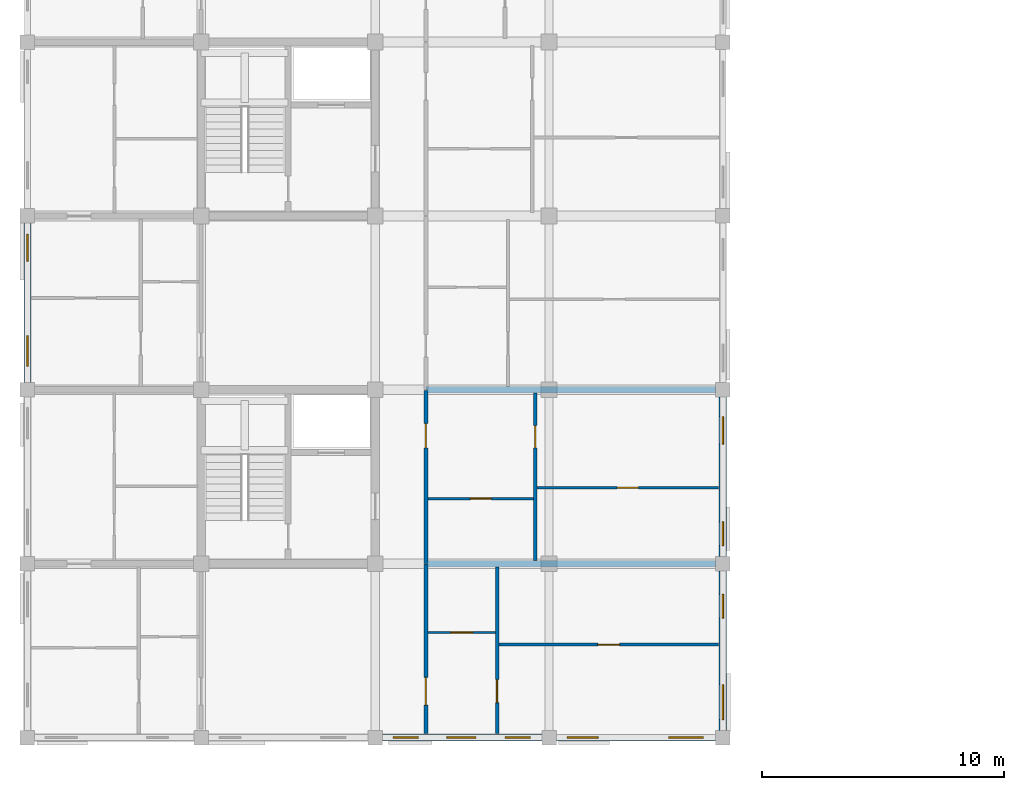
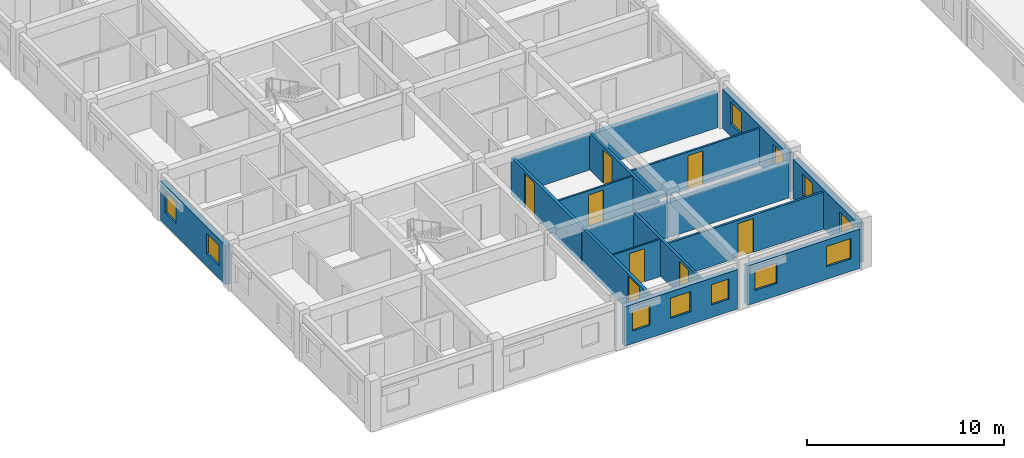
# One storey, part 14 of 50: 15 walls, 11 windows, 8 doors, 19 openings.
"""IFC4 building model written with IfcOpenShell, lengths in metres."""

from ifc_helpers import new_model, si_unit, direction, frame, frame_2d, origin, place, context, subcontext, project, spatial, rectangle, extrude, material, layer, layer_set, type_object, element, fill, save


model = new_model("IFC4")

# Units and contexts
model_context = context("Model", 3, precision=1e-05, world=origin(), true_north=direction((0.0, 1.0)))
body_context = subcontext(model_context, "Body", "Model", "MODEL_VIEW")
ifc_project = project(units=[si_unit("LENGTHUNIT", "METRE"), si_unit("AREAUNIT", "SQUARE_METRE"), si_unit("VOLUMEUNIT", "CUBIC_METRE"), si_unit("PLANEANGLEUNIT", "RADIAN"), si_unit("MASSUNIT", "GRAM", prefix="KILO"), si_unit("THERMODYNAMICTEMPERATUREUNIT", "KELVIN"), si_unit("POWERUNIT", "WATT")], contexts=[model_context])

# Site, building, storey
site_placement = place(None, origin())
site = spatial("IfcSite", under=ifc_project, at=site_placement, CompositionType="ELEMENT")
building_placement = place(site_placement, origin())
building = spatial("IfcBuilding", under=site, at=building_placement, Name="Tavuni Mirador Residences", CompositionType="ELEMENT")
storey_placement = place(building_placement, frame((0.0, 0.0, 4.5)))
storey = spatial("IfcBuildingStorey", under=building, at=storey_placement, Name="L01", CompositionType="ELEMENT", Elevation=4.5)

# Wall, opening, door
ifc_material_1 = material(Name="Precast concrete C40/50", Category="concrete")
ifc_layer_1 = layer(ifc_material_1, 0.1650390625, Name="Precast concrete C40/50", Category="concrete")
ifc_layer_set_1 = layer_set([ifc_layer_1], Name="Precast concrete C40/50")
wall_type_1 = type_object("IfcWallType", Name="WT-CORR165", PredefinedType="PARTITIONING", material=ifc_layer_set_1)
wall_1_placement = place(storey_placement, frame((20.10009765625, 7.375, 0.0), z_axis=(0.0, 0.0, 1.0), x_axis=(0.0, 1.0, 0.0)))
wall_1 = element("IfcWall", 1, at=wall_1_placement, inside=storey, type_object=wall_type_1, Name="CORW-BLK-A-L01-0-00", PredefinedType="PARTITIONING", context=body_context, shape_type="SweptSolid", body=[
    extrude(rectangle(XDim=7.0048828125, YDim=0.1650390625, at=frame_2d((3.50244140625, 0.0))), origin(), (0.0, 0.0, 1.0), 2.304931640625),
])
opening_1_placement = place(wall_1_placement, frame((1.175048828125, 0.0, 0.0)))
opening_1 = element("IfcOpeningElement", 2, at=opening_1_placement, cuts=wall_1, Name="Opening D-20", PredefinedType="OPENING", context=body_context, shape_type="SweptSolid", body=[
    extrude(rectangle(XDim=1.139892578125, YDim=2.179931640625, at=frame_2d((0.56982421875, 1.08984375))), frame((0.0, 0.092529296875, 0.0), z_axis=(0.0, -1.0, 0.0), x_axis=(1.0, 0.0, 0.0)), (0.0, 0.0, 1.0), 0.18505859375),
])
ifc_material_2 = material(Name="Solid core iroko timber", Category="wood")
door_type_1 = type_object("IfcDoorType", Name="DT-FD60-1140", OperationType="NOTDEFINED", PredefinedType="DOOR", material=ifc_material_2)
door_1_placement = place(opening_1_placement, origin())
door_1 = element("IfcDoor", 3, at=door_1_placement, inside=storey, type_object=door_type_1, Name="DR-2393", OperationType="SINGLE_SWING_RIGHT", OverallHeight=2.179931640625, OverallWidth=1.139892578125, PredefinedType="DOOR", context=body_context, shape_type="SweptSolid", body=[
    extrude(rectangle(XDim=1.139892578125, YDim=2.179931640625, at=frame_2d((0.56982421875, 1.08984375))), frame((0.0, 0.02490234375, 0.0), z_axis=(0.0, -1.0, 0.0), x_axis=(1.0, 0.0, 0.0)), (0.0, 0.0, 1.0), 0.050048828125),
])
fill(opening_1, door_1)

wall_2_placement = place(storey_placement, frame((20.10009765625, 14.419921875, 0.0), z_axis=(0.0, 0.0, 1.0), x_axis=(0.0, 1.0, 0.0)))
wall_2 = element("IfcWall", 4, at=wall_2_placement, inside=storey, type_object=wall_type_1, Name="CORW-BLK-A-L01-0-01", PredefinedType="PARTITIONING", context=body_context, shape_type="SweptSolid", body=[
    extrude(rectangle(XDim=7.16015625, YDim=0.1650390625, at=frame_2d((3.580078125, 0.0))), origin(), (0.0, 0.0, 1.0), 2.304931640625),
])
opening_2_placement = place(wall_2_placement, frame((4.780029296875, 0.0, 0.0)))
opening_2 = element("IfcOpeningElement", 5, at=opening_2_placement, cuts=wall_2, Name="Opening D-03", PredefinedType="OPENING", context=body_context, shape_type="SweptSolid", body=[
    extrude(rectangle(XDim=1.0, YDim=2.14990234375, at=frame_2d((0.5, 1.074951171875))), frame((0.0, 0.092529296875, 0.0), z_axis=(0.0, -1.0, 0.0), x_axis=(1.0, 0.0, 0.0)), (0.0, 0.0, 1.0), 0.18505859375),
])
door_type_2 = type_object("IfcDoorType", Name="DT-FD60-1000", OperationType="NOTDEFINED", PredefinedType="DOOR", material=ifc_material_2)
door_2_placement = place(opening_2_placement, origin())
door_2 = element("IfcDoor", 6, at=door_2_placement, inside=storey, type_object=door_type_2, Name="DR-2394", OperationType="SINGLE_SWING_LEFT", OverallHeight=2.14990234375, OverallWidth=1.0, PredefinedType="DOOR", context=body_context, shape_type="SweptSolid", body=[
    extrude(rectangle(XDim=1.0, YDim=2.14990234375, at=frame_2d((0.5, 1.074951171875))), frame((0.0, 0.02490234375, 0.0), z_axis=(0.0, -1.0, 0.0), x_axis=(1.0, 0.0, 0.0)), (0.0, 0.0, 1.0), 0.050048828125),
])
fill(opening_2, door_2)

# Wall, openings, windows
ifc_material_3 = material(Name="Sgraffito lime-rendered precast concrete C40/50", Category="concrete")
ifc_layer_2 = layer(ifc_material_3, 0.27490234375, Name="Sgraffito lime-rendered precast concrete C40/50", Category="concrete")
ifc_layer_set_2 = layer_set([ifc_layer_2], Name="Sgraffito lime-rendered precast concrete C40/50")
wall_type_2 = type_object("IfcWallType", Name="WT-EXT-PC275", PredefinedType="SOLIDWALL", material=ifc_layer_set_2)
wall_3_placement = place(storey_placement, frame((25.5, 7.199951171875, 0.0), z_axis=(0.0, 0.0, 1.0), x_axis=(1.0, 0.0, 0.0)))
wall_3 = element("IfcWall", 7, at=wall_3_placement, inside=storey, type_object=wall_type_2, Name="EW-BLK-A-L01-S03", PredefinedType="SOLIDWALL", context=body_context, shape_type="SweptSolid", body=[
    extrude(rectangle(XDim=6.60009765625, YDim=0.27490234375, at=frame_2d((3.300048828125, 0.0))), origin(), (0.0, 0.0, 1.0), 2.43994140625),
])
opening_3_placement = place(wall_3_placement, frame((0.449951171875, 0.0, 0.780029296875)))
opening_3 = element("IfcOpeningElement", 8, at=opening_3_placement, cuts=wall_3, Name="Opening WN-14", PredefinedType="OPENING", context=body_context, shape_type="SweptSolid", body=[
    extrude(rectangle(XDim=1.280029296875, YDim=1.260009765625, at=frame_2d((0.64013671875, 0.6298828125))), frame((0.0, 0.1474609375, 0.0), z_axis=(0.0, -1.0, 0.0), x_axis=(1.0, 0.0, 0.0)), (0.0, 0.0, 1.0), 0.294921875),
])
opening_4_placement = place(wall_3_placement, frame((4.64990234375, 0.0, 0.780029296875)))
opening_4 = element("IfcOpeningElement", 9, at=opening_4_placement, cuts=wall_3, Name="Opening WN-16", PredefinedType="OPENING", context=body_context, shape_type="SweptSolid", body=[
    extrude(rectangle(XDim=1.43994140625, YDim=1.260009765625, at=frame_2d((0.719970703125, 0.6298828125))), frame((0.0, 0.1474609375, 0.0), z_axis=(0.0, -1.0, 0.0), x_axis=(1.0, 0.0, 0.0)), (0.0, 0.0, 1.0), 0.294921875),
])
ifc_material_4 = material(Name="Laminated solar-control glass", Category="glass")
window_type_1 = type_object("IfcWindowType", Name="WNT-14", PartitioningType="SINGLE_PANEL", PredefinedType="WINDOW", material=ifc_material_4)
window_1_placement = place(opening_3_placement, origin())
window_1 = element("IfcWindow", 10, at=window_1_placement, inside=storey, type_object=window_type_1, Name="WIN-0042", OverallHeight=1.260009765625, OverallWidth=1.280029296875, PartitioningType="SINGLE_PANEL", PredefinedType="WINDOW", context=body_context, shape_type="SweptSolid", body=[
    extrude(rectangle(XDim=1.280029296875, YDim=1.260009765625, at=frame_2d((0.64013671875, 0.6298828125))), frame((0.0, 0.030029296875, 0.0), z_axis=(0.0, -1.0, 0.0), x_axis=(1.0, 0.0, 0.0)), (0.0, 0.0, 1.0), 0.06005859375),
])
fill(opening_3, window_1)
window_type_2 = type_object("IfcWindowType", Name="WNT-16", PartitioningType="SINGLE_PANEL", PredefinedType="WINDOW", material=ifc_material_4)
window_2_placement = place(opening_4_placement, origin())
window_2 = element("IfcWindow", 11, at=window_2_placement, inside=storey, type_object=window_type_2, Name="WIN-0043", OverallHeight=1.260009765625, OverallWidth=1.43994140625, PartitioningType="SINGLE_PANEL", PredefinedType="WINDOW", context=body_context, shape_type="SweptSolid", body=[
    extrude(rectangle(XDim=1.43994140625, YDim=1.260009765625, at=frame_2d((0.719970703125, 0.6298828125))), frame((0.0, 0.030029296875, 0.0), z_axis=(0.0, -1.0, 0.0), x_axis=(1.0, 0.0, 0.0)), (0.0, 0.0, 1.0), 0.06005859375),
])
fill(opening_4, window_2)

ifc_layer_3 = layer(ifc_material_3, 0.2900390625, Name="Sgraffito lime-rendered precast concrete C40/50", Category="concrete")
ifc_layer_set_3 = layer_set([ifc_layer_3], Name="Sgraffito lime-rendered precast concrete C40/50")
wall_type_3 = type_object("IfcWallType", Name="WT-EXT-PC290", PredefinedType="SOLIDWALL", material=ifc_layer_set_3)
wall_4_placement = place(storey_placement, frame((18.300048828125, 7.199951171875, 0.0), z_axis=(0.0, 0.0, 1.0), x_axis=(1.0, 0.0, 0.0)))
wall_4 = element("IfcWall", 12, at=wall_4_placement, inside=storey, type_object=wall_type_3, Name="EW-BLK-A-L01-S02", PredefinedType="SOLIDWALL", context=body_context, shape_type="SweptSolid", body=[
    extrude(rectangle(XDim=6.599853515625, YDim=0.2900390625, at=frame_2d((3.2998046875, 0.0))), origin(), (0.0, 0.0, 1.0), 2.43994140625),
])
opening_5_placement = place(wall_4_placement, frame((0.449951171875, 0.0, 0.780029296875)))
opening_5 = element("IfcOpeningElement", 13, at=opening_5_placement, cuts=wall_4, Name="Opening WN-11", PredefinedType="OPENING", context=body_context, shape_type="SweptSolid", body=[
    extrude(rectangle(XDim=1.0400390625, YDim=1.260009765625, at=frame_2d((0.52001953125, 0.6298828125))), frame((0.0, 0.155029296875, 0.0), z_axis=(0.0, -1.0, 0.0), x_axis=(1.0, 0.0, 0.0)), (0.0, 0.0, 1.0), 0.31005859375),
])
opening_6_placement = place(wall_4_placement, frame((2.675048828125, 0.0, 0.780029296875)))
opening_6 = element("IfcOpeningElement", 14, at=opening_6_placement, cuts=wall_4, Name="Opening WN-13", PredefinedType="OPENING", context=body_context, shape_type="SweptSolid", body=[
    extrude(rectangle(XDim=1.199951171875, YDim=1.260009765625, at=frame_2d((0.60009765625, 0.6298828125))), frame((0.0, 0.155029296875, 0.0), z_axis=(0.0, -1.0, 0.0), x_axis=(1.0, 0.0, 0.0)), (0.0, 0.0, 1.0), 0.31005859375),
])
opening_7_placement = place(wall_4_placement, frame((5.0849609375, 0.0, 0.780029296875)))
opening_7 = element("IfcOpeningElement", 15, at=opening_7_placement, cuts=wall_4, Name="Opening WN-11", PredefinedType="OPENING", context=body_context, shape_type="SweptSolid", body=[
    extrude(rectangle(XDim=1.0400390625, YDim=1.260009765625, at=frame_2d((0.52001953125, 0.6298828125))), frame((0.0, 0.155029296875, 0.0), z_axis=(0.0, -1.0, 0.0), x_axis=(1.0, 0.0, 0.0)), (0.0, 0.0, 1.0), 0.31005859375),
])
window_type_3 = type_object("IfcWindowType", Name="WNT-11", PartitioningType="SINGLE_PANEL", PredefinedType="WINDOW", material=ifc_material_4)
window_3_placement = place(opening_5_placement, origin())
window_3 = element("IfcWindow", 16, at=window_3_placement, inside=storey, type_object=window_type_3, Name="WIN-0039", OverallHeight=1.260009765625, OverallWidth=1.0400390625, PartitioningType="SINGLE_PANEL", PredefinedType="WINDOW", context=body_context, shape_type="SweptSolid", body=[
    extrude(rectangle(XDim=1.0400390625, YDim=1.260009765625, at=frame_2d((0.52001953125, 0.6298828125))), frame((0.0, 0.030029296875, 0.0), z_axis=(0.0, -1.0, 0.0), x_axis=(1.0, 0.0, 0.0)), (0.0, 0.0, 1.0), 0.06005859375),
])
fill(opening_5, window_3)
window_4_placement = place(opening_7_placement, origin())
window_4 = element("IfcWindow", 17, at=window_4_placement, inside=storey, type_object=window_type_3, Name="WIN-0041", OverallHeight=1.260009765625, OverallWidth=1.0400390625, PartitioningType="SINGLE_PANEL", PredefinedType="WINDOW", context=body_context, shape_type="SweptSolid", body=[
    extrude(rectangle(XDim=1.0400390625, YDim=1.260009765625, at=frame_2d((0.52001953125, 0.6298828125))), frame((0.0, 0.030029296875, 0.0), z_axis=(0.0, -1.0, 0.0), x_axis=(1.0, 0.0, 0.0)), (0.0, 0.0, 1.0), 0.06005859375),
])
fill(opening_7, window_4)
window_type_4 = type_object("IfcWindowType", Name="WNT-13", PartitioningType="SINGLE_PANEL", PredefinedType="WINDOW", material=ifc_material_4)
window_5_placement = place(opening_6_placement, origin())
window_5 = element("IfcWindow", 18, at=window_5_placement, inside=storey, type_object=window_type_4, Name="WIN-0040", OverallHeight=1.260009765625, OverallWidth=1.199951171875, PartitioningType="SINGLE_PANEL", PredefinedType="WINDOW", context=body_context, shape_type="SweptSolid", body=[
    extrude(rectangle(XDim=1.199951171875, YDim=1.260009765625, at=frame_2d((0.60009765625, 0.6298828125))), frame((0.0, 0.030029296875, 0.0), z_axis=(0.0, -1.0, 0.0), x_axis=(1.0, 0.0, 0.0)), (0.0, 0.0, 1.0), 0.06005859375),
])
fill(opening_6, window_5)

wall_5_placement = place(storey_placement, frame((3.60009765625, 28.5, 0.0), z_axis=(0.0, 0.0, 1.0), x_axis=(0.0, -1.0, 0.0)))
wall_5 = element("IfcWall", 19, at=wall_5_placement, inside=storey, type_object=wall_type_3, Name="EW-BLK-A-L01-W02", PredefinedType="SOLIDWALL", context=body_context, shape_type="SweptSolid", body=[
    extrude(rectangle(XDim=6.60009765625, YDim=0.2900390625, at=frame_2d((3.300048828125, 0.0))), origin(), (0.0, 0.0, 1.0), 2.43994140625),
])
opening_8_placement = place(wall_5_placement, frame((0.449951171875, 0.0, 0.780029296875)))
opening_8 = element("IfcOpeningElement", 20, at=opening_8_placement, cuts=wall_5, Name="Opening WN-12", PredefinedType="OPENING", context=body_context, shape_type="SweptSolid", body=[
    extrude(rectangle(XDim=1.1201171875, YDim=1.260009765625, at=frame_2d((0.56005859375, 0.6298828125))), frame((0.0, 0.155029296875, 0.0), z_axis=(0.0, -1.0, 0.0), x_axis=(1.0, 0.0, 0.0)), (0.0, 0.0, 1.0), 0.31005859375),
])
opening_9_placement = place(wall_5_placement, frame((4.64990234375, 0.0, 0.780029296875)))
opening_9 = element("IfcOpeningElement", 21, at=opening_9_placement, cuts=wall_5, Name="Opening WN-14", PredefinedType="OPENING", context=body_context, shape_type="SweptSolid", body=[
    extrude(rectangle(XDim=1.280029296875, YDim=1.260009765625, at=frame_2d((0.64013671875, 0.6298828125))), frame((0.0, 0.155029296875, 0.0), z_axis=(0.0, -1.0, 0.0), x_axis=(1.0, 0.0, 0.0)), (0.0, 0.0, 1.0), 0.31005859375),
])
window_type_5 = type_object("IfcWindowType", Name="WNT-12", PartitioningType="SINGLE_PANEL", PredefinedType="WINDOW", material=ifc_material_4)
window_6_placement = place(opening_8_placement, origin())
window_6 = element("IfcWindow", 22, at=window_6_placement, inside=storey, type_object=window_type_5, Name="WIN-0070", OverallHeight=1.260009765625, OverallWidth=1.1201171875, PartitioningType="SINGLE_PANEL", PredefinedType="WINDOW", context=body_context, shape_type="SweptSolid", body=[
    extrude(rectangle(XDim=1.1201171875, YDim=1.260009765625, at=frame_2d((0.56005859375, 0.6298828125))), frame((0.0, 0.030029296875, 0.0), z_axis=(0.0, -1.0, 0.0), x_axis=(1.0, 0.0, 0.0)), (0.0, 0.0, 1.0), 0.06005859375),
])
fill(opening_8, window_6)
window_7_placement = place(opening_9_placement, origin())
window_7 = element("IfcWindow", 23, at=window_7_placement, inside=storey, type_object=window_type_1, Name="WIN-0071", OverallHeight=1.260009765625, OverallWidth=1.280029296875, PartitioningType="SINGLE_PANEL", PredefinedType="WINDOW", context=body_context, shape_type="SweptSolid", body=[
    extrude(rectangle(XDim=1.280029296875, YDim=1.260009765625, at=frame_2d((0.64013671875, 0.6298828125))), frame((0.0, 0.030029296875, 0.0), z_axis=(0.0, -1.0, 0.0), x_axis=(1.0, 0.0, 0.0)), (0.0, 0.0, 1.0), 0.06005859375),
])
fill(opening_9, window_7)

ifc_layer_4 = layer(ifc_material_3, 0.304931640625, Name="Sgraffito lime-rendered precast concrete C40/50", Category="concrete")
ifc_layer_set_4 = layer_set([ifc_layer_4], Name="Sgraffito lime-rendered precast concrete C40/50")
wall_type_4 = type_object("IfcWallType", Name="WT-EXT-PC305", PredefinedType="SOLIDWALL", material=ifc_layer_set_4)
wall_6_placement = place(storey_placement, frame((32.39990234375, 14.699951171875, 0.0), z_axis=(0.0, 0.0, 1.0), x_axis=(0.0, 1.0, 0.0)))
wall_6 = element("IfcWall", 24, at=wall_6_placement, inside=storey, type_object=wall_type_4, Name="EW-BLK-A-L01-E01", PredefinedType="SOLIDWALL", context=body_context, shape_type="SweptSolid", body=[
    extrude(rectangle(XDim=6.60009765625, YDim=0.304931640625, at=frame_2d((3.300048828125, 0.0))), origin(), (0.0, 0.0, 1.0), 2.43994140625),
])
opening_10_placement = place(wall_6_placement, frame((0.449951171875, 0.0, 0.780029296875)))
opening_10 = element("IfcOpeningElement", 25, at=opening_10_placement, cuts=wall_6, Name="Opening WN-18", PredefinedType="OPENING", context=body_context, shape_type="SweptSolid", body=[
    extrude(rectangle(XDim=0.97998046875, YDim=1.360107421875, at=frame_2d((0.489990234375, 0.68017578125))), frame((0.0, 0.16259765625, 0.0), z_axis=(0.0, -1.0, 0.0), x_axis=(1.0, 0.0, 0.0)), (0.0, 0.0, 1.0), 0.324951171875),
])
opening_11_placement = place(wall_6_placement, frame((4.64990234375, 0.0, 0.780029296875)))
opening_11 = element("IfcOpeningElement", 26, at=opening_11_placement, cuts=wall_6, Name="Opening WN-20", PredefinedType="OPENING", context=body_context, shape_type="SweptSolid", body=[
    extrude(rectangle(XDim=1.139892578125, YDim=1.360107421875, at=frame_2d((0.56982421875, 0.68017578125))), frame((0.0, 0.16259765625, 0.0), z_axis=(0.0, -1.0, 0.0), x_axis=(1.0, 0.0, 0.0)), (0.0, 0.0, 1.0), 0.324951171875),
])
window_type_6 = type_object("IfcWindowType", Name="WNT-18", PartitioningType="SINGLE_PANEL", PredefinedType="WINDOW", material=ifc_material_4)
window_8_placement = place(opening_10_placement, origin())
window_8 = element("IfcWindow", 27, at=window_8_placement, inside=storey, type_object=window_type_6, Name="WIN-0046", OverallHeight=1.360107421875, OverallWidth=0.97998046875, PartitioningType="SINGLE_PANEL", PredefinedType="WINDOW", context=body_context, shape_type="SweptSolid", body=[
    extrude(rectangle(XDim=0.97998046875, YDim=1.360107421875, at=frame_2d((0.489990234375, 0.68017578125))), frame((0.0, 0.030029296875, 0.0), z_axis=(0.0, -1.0, 0.0), x_axis=(1.0, 0.0, 0.0)), (0.0, 0.0, 1.0), 0.06005859375),
])
fill(opening_10, window_8)
window_type_7 = type_object("IfcWindowType", Name="WNT-20", PartitioningType="SINGLE_PANEL", PredefinedType="WINDOW", material=ifc_material_4)
window_9_placement = place(opening_11_placement, origin())
window_9 = element("IfcWindow", 28, at=window_9_placement, inside=storey, type_object=window_type_7, Name="WIN-0047", OverallHeight=1.360107421875, OverallWidth=1.139892578125, PartitioningType="SINGLE_PANEL", PredefinedType="WINDOW", context=body_context, shape_type="SweptSolid", body=[
    extrude(rectangle(XDim=1.139892578125, YDim=1.360107421875, at=frame_2d((0.56982421875, 0.68017578125))), frame((0.0, 0.030029296875, 0.0), z_axis=(0.0, -1.0, 0.0), x_axis=(1.0, 0.0, 0.0)), (0.0, 0.0, 1.0), 0.06005859375),
])
fill(opening_11, window_9)

ifc_layer_5 = layer(ifc_material_3, 0.31494140625, Name="Sgraffito lime-rendered precast concrete C40/50", Category="concrete")
ifc_layer_set_5 = layer_set([ifc_layer_5], Name="Sgraffito lime-rendered precast concrete C40/50")
wall_type_5 = type_object("IfcWallType", Name="WT-EXT-PC315", PredefinedType="SOLIDWALL", material=ifc_layer_set_5)
wall_7_placement = place(storey_placement, frame((32.39990234375, 7.5, 0.0), z_axis=(0.0, 0.0, 1.0), x_axis=(0.0, 1.0, 0.0)))
wall_7 = element("IfcWall", 29, at=wall_7_placement, inside=storey, type_object=wall_type_5, Name="EW-BLK-A-L01-E00", PredefinedType="SOLIDWALL", context=body_context, shape_type="SweptSolid", body=[
    extrude(rectangle(XDim=6.60009765625, YDim=0.31494140625, at=frame_2d((3.300048828125, 0.0))), origin(), (0.0, 0.0, 1.0), 2.43994140625),
])
opening_12_placement = place(wall_7_placement, frame((0.449951171875, 0.0, 0.780029296875)))
opening_12 = element("IfcOpeningElement", 30, at=opening_12_placement, cuts=wall_7, Name="Opening WN-16", PredefinedType="OPENING", context=body_context, shape_type="SweptSolid", body=[
    extrude(rectangle(XDim=1.43994140625, YDim=1.260009765625, at=frame_2d((0.719970703125, 0.6298828125))), frame((0.0, 0.16748046875, 0.0), z_axis=(0.0, -1.0, 0.0), x_axis=(1.0, 0.0, 0.0)), (0.0, 0.0, 1.0), 0.3349609375),
])
opening_13_placement = place(wall_7_placement, frame((4.64990234375, 0.0, 0.780029296875)))
opening_13 = element("IfcOpeningElement", 31, at=opening_13_placement, cuts=wall_7, Name="Opening WN-18", PredefinedType="OPENING", context=body_context, shape_type="SweptSolid", body=[
    extrude(rectangle(XDim=0.97998046875, YDim=1.360107421875, at=frame_2d((0.489990234375, 0.68017578125))), frame((0.0, 0.16748046875, 0.0), z_axis=(0.0, -1.0, 0.0), x_axis=(1.0, 0.0, 0.0)), (0.0, 0.0, 1.0), 0.3349609375),
])
window_10_placement = place(opening_12_placement, origin())
window_10 = element("IfcWindow", 32, at=window_10_placement, inside=storey, type_object=window_type_2, Name="WIN-0044", OverallHeight=1.260009765625, OverallWidth=1.43994140625, PartitioningType="SINGLE_PANEL", PredefinedType="WINDOW", context=body_context, shape_type="SweptSolid", body=[
    extrude(rectangle(XDim=1.43994140625, YDim=1.260009765625, at=frame_2d((0.719970703125, 0.6298828125))), frame((0.0, 0.030029296875, 0.0), z_axis=(0.0, -1.0, 0.0), x_axis=(1.0, 0.0, 0.0)), (0.0, 0.0, 1.0), 0.06005859375),
])
fill(opening_12, window_10)
window_11_placement = place(opening_13_placement, origin())
window_11 = element("IfcWindow", 33, at=window_11_placement, inside=storey, type_object=window_type_6, Name="WIN-0045", OverallHeight=1.360107421875, OverallWidth=0.97998046875, PartitioningType="SINGLE_PANEL", PredefinedType="WINDOW", context=body_context, shape_type="SweptSolid", body=[
    extrude(rectangle(XDim=0.97998046875, YDim=1.360107421875, at=frame_2d((0.489990234375, 0.68017578125))), frame((0.0, 0.030029296875, 0.0), z_axis=(0.0, -1.0, 0.0), x_axis=(1.0, 0.0, 0.0)), (0.0, 0.0, 1.0), 0.06005859375),
])
fill(opening_13, window_11)

# Wall, opening, door
ifc_material_5 = material(Name="Acoustic gypsum and concrete block partition", Category="concrete")
ifc_layer_6 = layer(ifc_material_5, 0.094970703125, Name="Acoustic gypsum and concrete block partition", Category="concrete")
ifc_layer_set_6 = layer_set([ifc_layer_6], Name="Acoustic gypsum and concrete block partition")
wall_type_6 = type_object("IfcWallType", Name="WT-PART095", PredefinedType="PARTITIONING", material=ifc_layer_set_6)
wall_8_placement = place(storey_placement, frame((20.18994140625, 11.550048828125, 0.0), z_axis=(0.0, 0.0, 1.0), x_axis=(1.0, 0.0, 0.0)))
wall_8 = element("IfcWall", 34, at=wall_8_placement, inside=storey, type_object=wall_type_6, Name="PW-BLK-A-L01-E00-IN1", PredefinedType="PARTITIONING", context=body_context, shape_type="SweptSolid", body=[
    extrude(rectangle(XDim=2.7900390625, YDim=0.094970703125, at=frame_2d((1.39501953125, 0.0))), origin(), (0.0, 0.0, 1.0), 2.304931640625),
])
opening_14_placement = place(wall_8_placement, frame((0.945068359375, 0.0, 0.0)))
opening_14 = element("IfcOpeningElement", 35, at=opening_14_placement, cuts=wall_8, Name="Opening D-09", PredefinedType="OPENING", context=body_context, shape_type="SweptSolid", body=[
    extrude(rectangle(XDim=0.89990234375, YDim=2.050048828125, at=frame_2d((0.449951171875, 1.02490234375))), frame((0.0, 0.0576171875, 0.0), z_axis=(0.0, -1.0, 0.0), x_axis=(1.0, 0.0, 0.0)), (0.0, 0.0, 1.0), 0.114990234375),
])
door_type_3 = type_object("IfcDoorType", Name="DT-WC900", OperationType="NOTDEFINED", PredefinedType="DOOR", material=ifc_material_2)
door_3_placement = place(opening_14_placement, origin())
door_3 = element("IfcDoor", 36, at=door_3_placement, inside=storey, type_object=door_type_3, Name="DR-2959", OperationType="SINGLE_SWING_RIGHT", OverallHeight=2.050048828125, OverallWidth=0.89990234375, PredefinedType="DOOR", context=body_context, shape_type="SweptSolid", body=[
    extrude(rectangle(XDim=0.89990234375, YDim=2.050048828125, at=frame_2d((0.449951171875, 1.02490234375))), frame((0.0, 0.02490234375, 0.0), z_axis=(0.0, -1.0, 0.0), x_axis=(1.0, 0.0, 0.0)), (0.0, 0.0, 1.0), 0.050048828125),
])
fill(opening_14, door_3)

ifc_layer_7 = layer(ifc_material_5, 0.10498046875, Name="Acoustic gypsum and concrete block partition", Category="concrete")
ifc_layer_set_7 = layer_set([ifc_layer_7], Name="Acoustic gypsum and concrete block partition")
wall_type_7 = type_object("IfcWallType", Name="WT-PART105", PredefinedType="PARTITIONING", material=ifc_layer_set_7)
wall_9_placement = place(storey_placement, frame((20.18994140625, 17.10009765625, 0.0), z_axis=(0.0, 0.0, 1.0), x_axis=(1.0, 0.0, 0.0)))
wall_9 = element("IfcWall", 37, at=wall_9_placement, inside=storey, type_object=wall_type_7, Name="PW-BLK-A-L01-E01-IN1", PredefinedType="PARTITIONING", context=body_context, shape_type="SweptSolid", body=[
    extrude(rectangle(XDim=4.3701171875, YDim=0.10498046875, at=frame_2d((2.18505859375, 0.0))), origin(), (0.0, 0.0, 1.0), 2.304931640625),
])
opening_15_placement = place(wall_9_placement, frame((1.75, 0.0, 0.0)))
opening_15 = element("IfcOpeningElement", 38, at=opening_15_placement, cuts=wall_9, Name="Opening D-10", PredefinedType="OPENING", context=body_context, shape_type="SweptSolid", body=[
    extrude(rectangle(XDim=0.8701171875, YDim=2.050048828125, at=frame_2d((0.43505859375, 1.02490234375))), frame((0.0, 0.0625, 0.0), z_axis=(0.0, -1.0, 0.0), x_axis=(1.0, 0.0, 0.0)), (0.0, 0.0, 1.0), 0.125),
])
door_type_4 = type_object("IfcDoorType", Name="DT-WC870", OperationType="NOTDEFINED", PredefinedType="DOOR", material=ifc_material_2)
door_4_placement = place(opening_15_placement, origin())
door_4 = element("IfcDoor", 39, at=door_4_placement, inside=storey, type_object=door_type_4, Name="DR-2964", OperationType="SINGLE_SWING_LEFT", OverallHeight=2.050048828125, OverallWidth=0.8701171875, PredefinedType="DOOR", context=body_context, shape_type="SweptSolid", body=[
    extrude(rectangle(XDim=0.8701171875, YDim=2.050048828125, at=frame_2d((0.43505859375, 1.02490234375))), frame((0.0, 0.02490234375, 0.0), z_axis=(0.0, -1.0, 0.0), x_axis=(1.0, 0.0, 0.0)), (0.0, 0.0, 1.0), 0.050048828125),
])
fill(opening_15, door_4)

ifc_layer_8 = layer(ifc_material_5, 0.114990234375, Name="Acoustic gypsum and concrete block partition", Category="concrete")
ifc_layer_set_8 = layer_set([ifc_layer_8], Name="Acoustic gypsum and concrete block partition")
wall_type_8 = type_object("IfcWallType", Name="WT-PART115", PredefinedType="PARTITIONING", material=ifc_layer_set_8)
wall_10_placement = place(storey_placement, frame((24.699951171875, 17.550048828125, 0.0), z_axis=(0.0, 0.0, 1.0), x_axis=(1.0, 0.0, 0.0)))
wall_10 = element("IfcWall", 40, at=wall_10_placement, inside=storey, type_object=wall_type_8, Name="PW-BLK-A-L01-E01-OUT", PredefinedType="PARTITIONING", context=body_context, shape_type="SweptSolid", body=[
    extrude(rectangle(XDim=7.525146484375, YDim=0.114990234375, at=frame_2d((3.7626953125, 0.0))), origin(), (0.0, 0.0, 1.0), 2.304931640625),
])
opening_16_placement = place(wall_10_placement, frame((3.322509765625, 0.0, 0.0)))
opening_16 = element("IfcOpeningElement", 41, at=opening_16_placement, cuts=wall_10, Name="Opening D-08", PredefinedType="OPENING", context=body_context, shape_type="SweptSolid", body=[
    extrude(rectangle(XDim=0.8798828125, YDim=2.080078125, at=frame_2d((0.43994140625, 1.0400390625))), frame((0.0, 0.0673828125, 0.0), z_axis=(0.0, -1.0, 0.0), x_axis=(1.0, 0.0, 0.0)), (0.0, 0.0, 1.0), 0.135009765625),
])
door_type_5 = type_object("IfcDoorType", Name="DT-BED880", OperationType="NOTDEFINED", PredefinedType="DOOR", material=ifc_material_2)
door_5_placement = place(opening_16_placement, origin())
door_5 = element("IfcDoor", 42, at=door_5_placement, inside=storey, type_object=door_type_5, Name="DR-2963", OperationType="SINGLE_SWING_RIGHT", OverallHeight=2.080078125, OverallWidth=0.8798828125, PredefinedType="DOOR", context=body_context, shape_type="SweptSolid", body=[
    extrude(rectangle(XDim=0.8798828125, YDim=2.080078125, at=frame_2d((0.43994140625, 1.0400390625))), frame((0.0, 0.02490234375, 0.0), z_axis=(0.0, -1.0, 0.0), x_axis=(1.0, 0.0, 0.0)), (0.0, 0.0, 1.0), 0.050048828125),
])
fill(opening_16, door_5)

ifc_layer_9 = layer(ifc_material_5, 0.125, Name="Acoustic gypsum and concrete block partition", Category="concrete")
ifc_layer_set_9 = layer_set([ifc_layer_9], Name="Acoustic gypsum and concrete block partition")
wall_type_9 = type_object("IfcWallType", Name="WT-PART125", PredefinedType="PARTITIONING", material=ifc_layer_set_9)
wall_11_placement = place(storey_placement, frame((23.1201171875, 11.050048828125, 0.0), z_axis=(0.0, 0.0, 1.0), x_axis=(1.0, 0.0, 0.0)))
wall_11 = element("IfcWall", 43, at=wall_11_placement, inside=storey, type_object=wall_type_9, Name="PW-BLK-A-L01-E00-OUT", PredefinedType="PARTITIONING", context=body_context, shape_type="SweptSolid", body=[
    extrude(rectangle(XDim=9.10498046875, YDim=0.125, at=frame_2d((4.552490234375, 0.0))), origin(), (0.0, 0.0, 1.0), 2.304931640625),
])
opening_17_placement = place(wall_11_placement, frame((4.1025390625, 0.0, 0.0)))
opening_17 = element("IfcOpeningElement", 44, at=opening_17_placement, cuts=wall_11, Name="Opening D-07", PredefinedType="OPENING", context=body_context, shape_type="SweptSolid", body=[
    extrude(rectangle(XDim=0.89990234375, YDim=2.10009765625, at=frame_2d((0.449951171875, 1.050048828125))), frame((0.0, 0.072509765625, 0.0), z_axis=(0.0, -1.0, 0.0), x_axis=(1.0, 0.0, 0.0)), (0.0, 0.0, 1.0), 0.14501953125),
])
door_type_6 = type_object("IfcDoorType", Name="DT-BED900", OperationType="NOTDEFINED", PredefinedType="DOOR", material=ifc_material_2)
door_6_placement = place(opening_17_placement, origin())
door_6 = element("IfcDoor", 45, at=door_6_placement, inside=storey, type_object=door_type_6, Name="DR-2958", OperationType="SINGLE_SWING_LEFT", OverallHeight=2.10009765625, OverallWidth=0.89990234375, PredefinedType="DOOR", context=body_context, shape_type="SweptSolid", body=[
    extrude(rectangle(XDim=0.89990234375, YDim=2.10009765625, at=frame_2d((0.449951171875, 1.050048828125))), frame((0.0, 0.02490234375, 0.0), z_axis=(0.0, -1.0, 0.0), x_axis=(1.0, 0.0, 0.0)), (0.0, 0.0, 1.0), 0.050048828125),
])
fill(opening_17, door_6)

ifc_layer_10 = layer(ifc_material_5, 0.139892578125, Name="Acoustic gypsum and concrete block partition", Category="concrete")
ifc_layer_set_10 = layer_set([ifc_layer_10], Name="Acoustic gypsum and concrete block partition")
wall_type_10 = type_object("IfcWallType", Name="WT-PART140", PredefinedType="PARTITIONING", material=ifc_layer_set_10)
wall_12_placement = place(storey_placement, frame((24.6298828125, 14.5400390625, 0.0), z_axis=(0.0, 0.0, 1.0), x_axis=(0.0, 1.0, 0.0)))
wall_12 = element("IfcWall", 46, at=wall_12_placement, inside=storey, type_object=wall_type_10, Name="PW-BLK-A-L01-E01-MID", PredefinedType="PARTITIONING", context=body_context, shape_type="SweptSolid", body=[
    extrude(rectangle(XDim=6.919921875, YDim=0.139892578125, at=frame_2d((3.4599609375, 0.0))), origin(), (0.0, 0.0, 1.0), 2.304931640625),
])
opening_18_placement = place(wall_12_placement, frame((4.659912109375, 0.0, 0.0)))
opening_18 = element("IfcOpeningElement", 47, at=opening_18_placement, cuts=wall_12, Name="Opening D-06", PredefinedType="OPENING", context=body_context, shape_type="SweptSolid", body=[
    extrude(rectangle(XDim=0.919921875, YDim=2.10009765625, at=frame_2d((0.4599609375, 1.050048828125))), frame((0.0, 0.080078125, 0.0), z_axis=(0.0, -1.0, 0.0), x_axis=(1.0, 0.0, 0.0)), (0.0, 0.0, 1.0), 0.159912109375),
])
door_type_7 = type_object("IfcDoorType", Name="DT-INT920", OperationType="NOTDEFINED", PredefinedType="DOOR", material=ifc_material_2)
door_7_placement = place(opening_18_placement, origin())
door_7 = element("IfcDoor", 48, at=door_7_placement, inside=storey, type_object=door_type_7, Name="DR-2965", OperationType="SINGLE_SWING_RIGHT", OverallHeight=2.10009765625, OverallWidth=0.919921875, PredefinedType="DOOR", context=body_context, shape_type="SweptSolid", body=[
    extrude(rectangle(XDim=0.919921875, YDim=2.10009765625, at=frame_2d((0.4599609375, 1.050048828125))), frame((0.0, 0.02490234375, 0.0), z_axis=(0.0, -1.0, 0.0), x_axis=(1.0, 0.0, 0.0)), (0.0, 0.0, 1.0), 0.050048828125),
])
fill(opening_18, door_7)

ifc_layer_11 = layer(ifc_material_5, 0.14990234375, Name="Acoustic gypsum and concrete block partition", Category="concrete")
ifc_layer_set_11 = layer_set([ifc_layer_11], Name="Acoustic gypsum and concrete block partition")
wall_type_11 = type_object("IfcWallType", Name="WT-PART150", PredefinedType="PARTITIONING", material=ifc_layer_set_11)
wall_13_placement = place(storey_placement, frame((23.050048828125, 7.375, 0.0), z_axis=(0.0, 0.0, 1.0), x_axis=(0.0, 1.0, 0.0)))
wall_13 = element("IfcWall", 49, at=wall_13_placement, inside=storey, type_object=wall_type_11, Name="PW-BLK-A-L01-E00-MID", PredefinedType="PARTITIONING", context=body_context, shape_type="SweptSolid", body=[
    extrude(rectangle(XDim=6.885009765625, YDim=0.14990234375, at=frame_2d((3.4423828125, 0.0))), origin(), (0.0, 0.0, 1.0), 2.304931640625),
])
opening_19_placement = place(wall_13_placement, frame((1.27490234375, 0.0, 0.0)))
opening_19 = element("IfcOpeningElement", 50, at=opening_19_placement, cuts=wall_13, Name="Opening D-05", PredefinedType="OPENING", context=body_context, shape_type="SweptSolid", body=[
    extrude(rectangle(XDim=0.949951171875, YDim=2.10009765625, at=frame_2d((0.47509765625, 1.050048828125))), frame((0.0, 0.0849609375, 0.0), z_axis=(0.0, -1.0, 0.0), x_axis=(1.0, 0.0, 0.0)), (0.0, 0.0, 1.0), 0.169921875),
])
door_type_8 = type_object("IfcDoorType", Name="DT-INT950", OperationType="NOTDEFINED", PredefinedType="DOOR", material=ifc_material_2)
door_8_placement = place(opening_19_placement, origin())
door_8 = element("IfcDoor", 51, at=door_8_placement, inside=storey, type_object=door_type_8, Name="DR-2960", OperationType="SINGLE_SWING_LEFT", OverallHeight=2.10009765625, OverallWidth=0.949951171875, PredefinedType="DOOR", context=body_context, shape_type="SweptSolid", body=[
    extrude(rectangle(XDim=0.949951171875, YDim=2.10009765625, at=frame_2d((0.47509765625, 1.050048828125))), frame((0.0, 0.02490234375, 0.0), z_axis=(0.0, -1.0, 0.0), x_axis=(1.0, 0.0, 0.0)), (0.0, 0.0, 1.0), 0.050048828125),
])
fill(opening_19, door_8)

# Walls
ifc_layer_12 = layer(ifc_material_1, 0.264892578125, Name="Precast concrete C40/50", Category="concrete")
ifc_layer_set_12 = layer_set([ifc_layer_12], Name="Precast concrete C40/50")
wall_type_12 = type_object("IfcWallType", Name="WT-XW265", PredefinedType="SOLIDWALL", material=ifc_layer_set_12)
for number, where, z_axis, x_axis, name in (
    (52, (20.10009765625, 14.39990234375, 0.0), (0.0, 0.0, 1.0), (1.0, 0.0, 0.0), "XW-BLK-A-L01-E-01"),
    (53, (20.10009765625, 21.60009765625, 0.0), (0.0, 0.0, 1.0), (1.0, 0.0, 0.0), "XW-BLK-A-L01-E-02"),
):
    element("IfcWall", number, at=place(storey_placement, frame(where, z_axis=z_axis, x_axis=x_axis)), inside=storey, type_object=wall_type_12, Name=name, PredefinedType="SOLIDWALL", context=body_context, shape_type="SweptSolid", body=[
        extrude(rectangle(XDim=12.0, YDim=0.264892578125, at=frame_2d((6.0, 0.0))), origin(), (0.0, 0.0, 1.0), 2.169921875),
    ])

save(model, "model.ifc")
